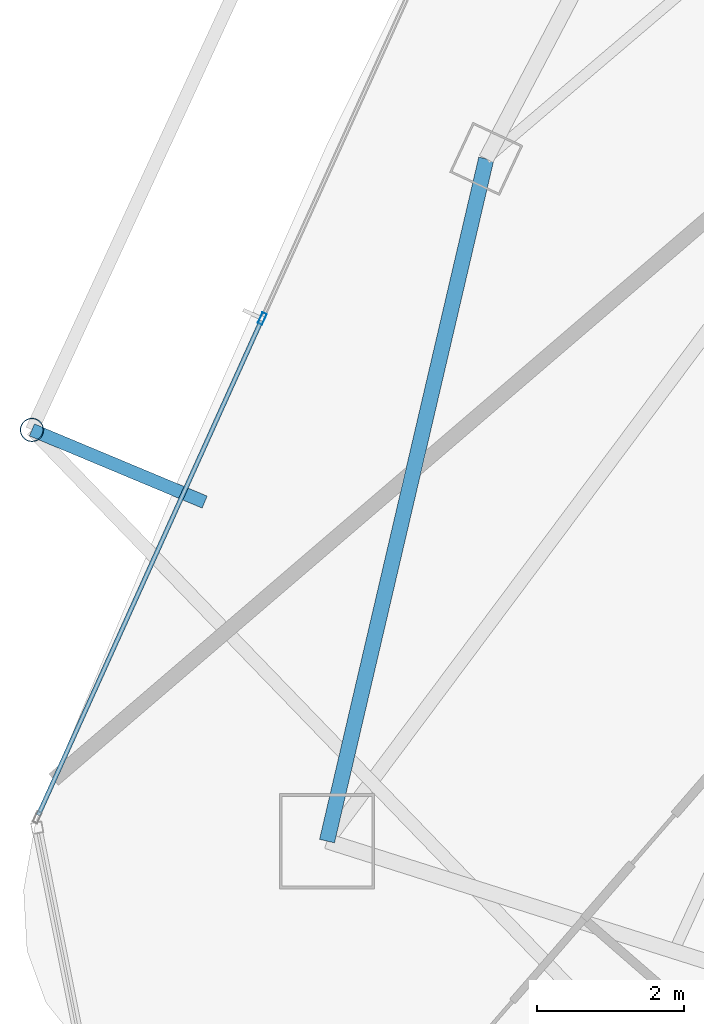
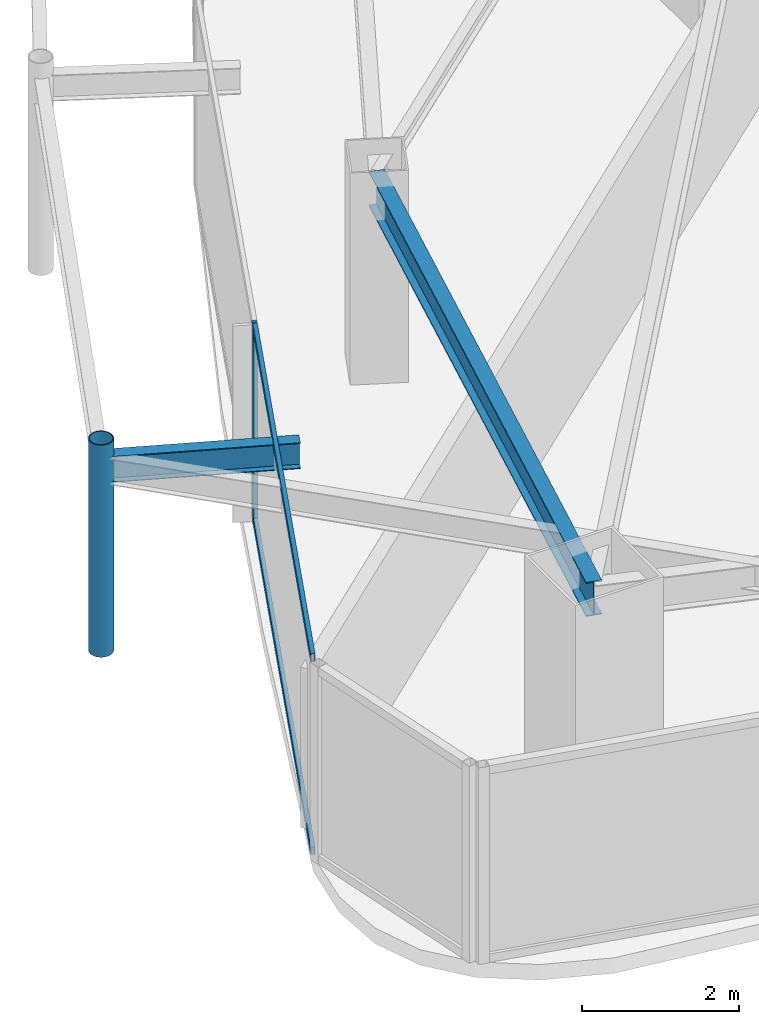
# One storey, part 5 of 30: 4 members, 2 beams, 1 element without a shape of its own.
"""IFC4 building model written with IfcOpenShell, lengths in metres."""

from ifc_helpers import new_model, si_unit, direction, frame, origin, origin_2d, place, context, subcontext, project, spatial, hollow_rectangle, hollow_circle, i_section, extrude, material, layer, layer_set, material_profile, profile_set, type_object, element, aggregate, save


model = new_model("IFC4")

# Units and contexts
model_context = context("Model", 3, precision=1e-05, world=origin(), true_north=direction((0.0, 1.0)))
body_context = subcontext(model_context, "Body", "Model", "MODEL_VIEW")
ifc_project = project(units=[si_unit("LENGTHUNIT", "METRE"), si_unit("AREAUNIT", "SQUARE_METRE"), si_unit("VOLUMEUNIT", "CUBIC_METRE"), si_unit("PLANEANGLEUNIT", "RADIAN"), si_unit("MASSUNIT", "GRAM", prefix="KILO")], contexts=[model_context])

# Site, building, storey
site_placement = place(None, origin())
site = spatial("IfcSite", under=ifc_project, at=site_placement, CompositionType="ELEMENT")
building_placement = place(site_placement, origin())
building = spatial("IfcBuilding", under=site, at=building_placement, Name="Orvanel Arch Residences", CompositionType="ELEMENT")
storey_placement = place(building_placement, frame((0.0, 0.0, 226.10009765625)))
storey = spatial("IfcBuildingStorey", under=building, at=storey_placement, Name="L64", CompositionType="ELEMENT", Elevation=226.10009765625)

# Curtain wall, member
ifc_material_1 = material(Name="Bronze-anodised aluminium AA6063-T6", Category="aluminium")
ifc_layer = layer(ifc_material_1, 0.175048828125)
ifc_layer_set = layer_set([ifc_layer], Name="Bronze-anodised aluminium AA6063-T6")
curtain_wall_type = type_object("IfcCurtainWallType", Name="CW4-HI-SYS", PredefinedType="NOTDEFINED", material=ifc_layer_set)
curtain_wall_placement = place(storey_placement, origin())
curtain_wall = element("IfcCurtainWall", 1, at=curtain_wall_placement, inside=storey, type_object=curtain_wall_type, Name="L64 CW4-HI-SYS Unitised Curtain Wall", PredefinedType="NOTDEFINED")
ifc_material_profile_1 = material_profile(ifc_material_1, hollow_rectangle(XDim=0.06494140625, YDim=0.159912109375, WallThickness=0.00390625, at=origin_2d()), Name="ALU160x65x4")
ifc_profile_set_1 = profile_set([ifc_material_profile_1], Name="Bronze-anodised aluminium AA6063-T6")
member_type_1 = type_object("IfcMemberType", Name="MUL-160x65", PredefinedType="MULLION", material=ifc_profile_set_1)
member_1_placement = place(storey_placement, frame((13.31689453125, 17.467529296875, 0.0), z_axis=(0.0, 0.0, 1.0), x_axis=(0.911577429328, -0.411128435335, 0.0)))
member_1 = element("IfcMember", 2, at=member_1_placement, type_object=member_type_1, Name="CW-S4 mullion 2", PredefinedType="MULLION", context=body_context, shape_type="SweptSolid", body=[
    extrude(hollow_rectangle(XDim=0.06494140625, YDim=0.159912109375, WallThickness=0.00390625, at=origin_2d()), origin(), (0.0, 0.0, 1.0), 3.059814453125),
])

# Beams
ifc_material_2 = material(Name="Structural steel AS/NZS 3679.1 Grade 300 (300 MPa)", Category="steel")
ifc_material_profile_2 = material_profile(ifc_material_2, i_section(OverallWidth=0.177978515625, OverallDepth=0.406005859375, WebThickness=0.0078125, FlangeThickness=0.0126953125, at=origin_2d()), Name="410UB59.7")
ifc_profile_set_2 = profile_set([ifc_material_profile_2], Name="Structural steel AS/NZS 3679.1 Grade 300 (300 MPa)")
beam_type_1 = type_object("IfcBeamType", Name="OB-410UB-EXT", PredefinedType="SPANDREL", material=ifc_profile_set_2)
beam_1_placement = place(storey_placement, frame((12.532958984375, 14.968017578125, 2.85693359375), z_axis=(-0.922730984255, 0.38544458836, 0.0), x_axis=(-0.38544458836, -0.922730984255, 0.0)))
element("IfcBeam", 3, at=beam_1_placement, inside=storey, type_object=beam_type_1, Name="L64 Outer Frame Radial Tie Beam 04", PredefinedType="SPANDREL", context=body_context, shape_type="SweptSolid", body=[
    extrude(i_section(OverallWidth=0.177978515625, OverallDepth=0.406005859375, WebThickness=0.0078125, FlangeThickness=0.0126953125, at=origin_2d()), origin(), (0.0, 0.0, 1.0), 2.550048828125),
])
ifc_material_profile_3 = material_profile(ifc_material_2, i_section(OverallWidth=0.208984375, OverallDepth=0.532958984375, WebThickness=0.01025390625, FlangeThickness=0.015625, at=origin_2d()), Name="530UB92.4")
ifc_profile_set_3 = profile_set([ifc_material_profile_3], Name="Structural steel AS/NZS 3679.1 Grade 300 (300 MPa)")
beam_type_2 = type_object("IfcBeamType", Name="SP-530UB", PredefinedType="SPANDREL", material=ifc_profile_set_3)
beam_2_placement = place(storey_placement, frame((16.366943359375, 19.64208984375, 2.79296875), z_axis=(-0.227236087167, -0.973839699688, 0.0), x_axis=(0.973839699688, -0.227236087167, 0.0)))
element("IfcBeam", 4, at=beam_2_placement, inside=storey, type_object=beam_type_2, Name="L64 Perimeter Spandrel Beam 01", PredefinedType="SPANDREL", context=body_context, shape_type="SweptSolid", body=[
    extrude(i_section(OverallWidth=0.208984375, OverallDepth=0.532958984375, WebThickness=0.01025390625, FlangeThickness=0.015625, at=origin_2d()), origin(), (0.0, 0.0, 1.0), 9.54052734375),
])

# Member
ifc_material_3 = material(Name="Structural steel AS/NZS 1163 C350L0 (Grade 350)", Category="steel")
ifc_material_profile_4 = material_profile(ifc_material_3, hollow_circle(Radius=0.162109375, WallThickness=0.0126953125, at=origin_2d()), Name="CHS324x12.7")
ifc_profile_set_4 = profile_set([ifc_material_profile_4], Name="Structural steel AS/NZS 1163 C350L0 (Grade 350)")
member_type_2 = type_object("IfcMemberType", Name="ST-324CHS-EXT", PredefinedType="STRUT", material=ifc_profile_set_4)
member_2_placement = place(storey_placement, frame((10.179931640625, 15.950927734375, 0.0), z_axis=(0.0, 0.0, 1.0), x_axis=(1.0, 0.0, 0.0)))
element("IfcMember", 5, at=member_2_placement, inside=storey, type_object=member_type_2, Name="L64 Outer Perimeter Frame Post 04", PredefinedType="STRUT", context=body_context, shape_type="SweptSolid", body=[
    extrude(hollow_circle(Radius=0.162109375, WallThickness=0.0126953125, at=origin_2d()), origin(), (0.0, 0.0, 1.0), 3.2998046875),
])

ifc_material_profile_5 = material_profile(ifc_material_1, hollow_rectangle(XDim=0.06005859375, YDim=0.1201171875, WallThickness=0.00341796875, at=origin_2d()), Name="ALU120x60x3.5")
ifc_profile_set_5 = profile_set([ifc_material_profile_5], Name="Bronze-anodised aluminium AA6063-T6")
member_type_3 = type_object("IfcMemberType", Name="TRN-120x60", PredefinedType="USERDEFINED", material=ifc_profile_set_5)
member_3_placement = place(storey_placement, frame((13.3037109375, 17.43798828125, 0.02978515625), z_axis=(-0.411149219017, -0.911568055442, 0.0), x_axis=(0.911568055442, -0.411149219017, 0.0)))
member_3 = element("IfcMember", 6, at=member_3_placement, type_object=member_type_3, Name="CW-S4 transom 2.1", ObjectType="TRANSOM", PredefinedType="USERDEFINED", context=body_context, shape_type="SweptSolid", body=[
    extrude(hollow_rectangle(XDim=0.06005859375, YDim=0.1201171875, WallThickness=0.00341796875, at=origin_2d()), origin(), (0.0, 0.0, 1.0), 7.386962890625),
])

member_4_placement = place(storey_placement, frame((13.3037109375, 17.43798828125, 3.02978515625), z_axis=(-0.411149219017, -0.911568055442, 0.0), x_axis=(0.911568055442, -0.411149219017, 0.0)))
member_4 = element("IfcMember", 7, at=member_4_placement, type_object=member_type_3, Name="CW-S4 transom 2.2", ObjectType="TRANSOM", PredefinedType="USERDEFINED", context=body_context, shape_type="SweptSolid", body=[
    extrude(hollow_rectangle(XDim=0.06005859375, YDim=0.1201171875, WallThickness=0.00341796875, at=origin_2d()), origin(), (0.0, 0.0, 1.0), 7.386962890625),
])

aggregate(curtain_wall, [member_1, member_3, member_4])

save(model, "model.ifc")
